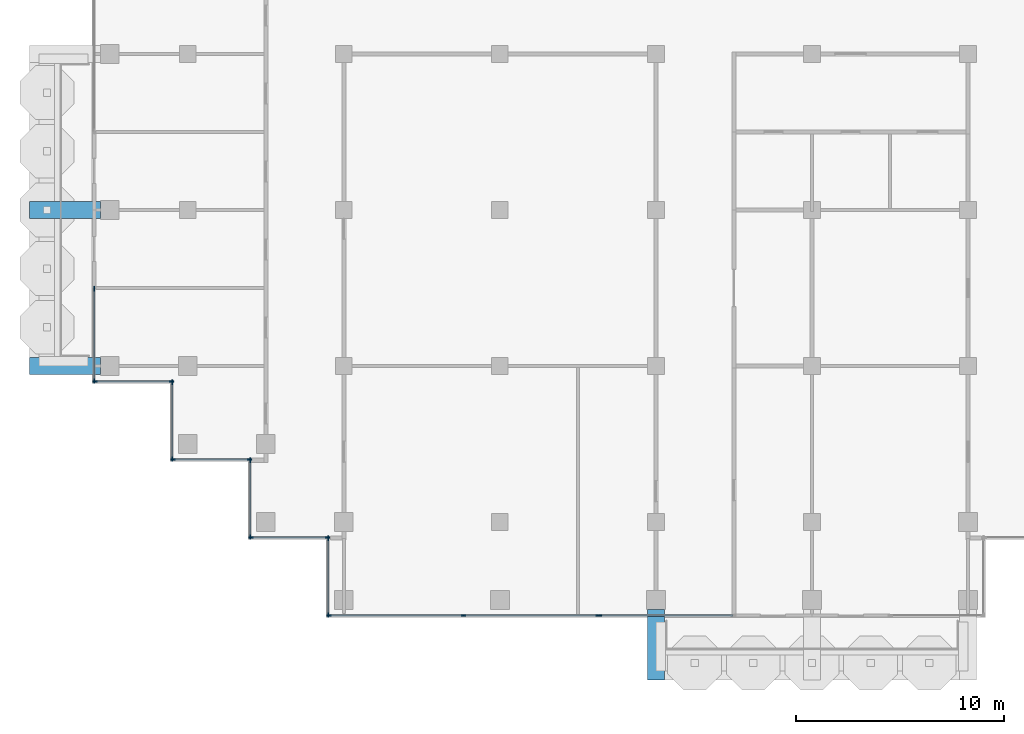
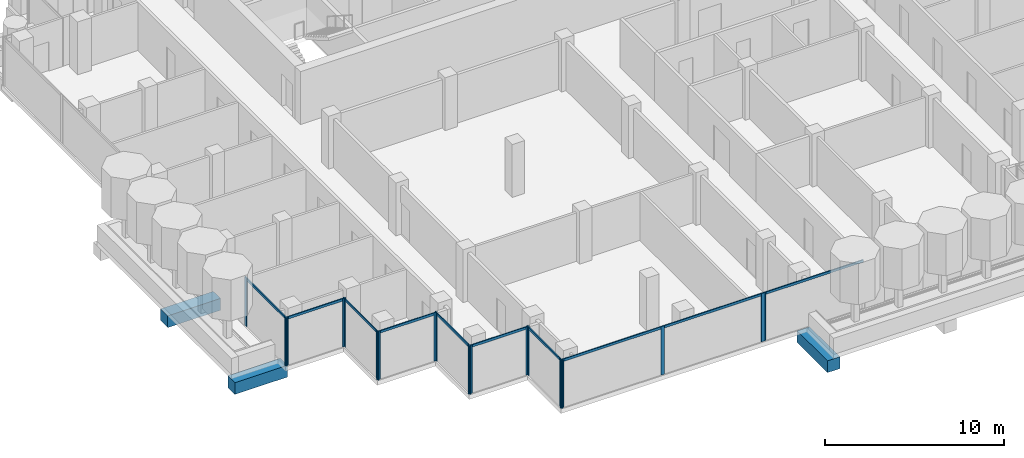
# One storey, part 2 of 19: 28 members, 3 beams, 9 elements without a shape of their own.
"""IFC4 building model written with IfcOpenShell, lengths in metres."""

from ifc_helpers import new_model, si_unit, direction, frame, origin, origin_2d, place, context, subcontext, project, spatial, rectangle, extrude, material, material_profile, profile_set, type_object, element, aggregate, save


model = new_model("IFC4")

# Units and contexts
model_context = context("Model", 3, precision=1e-05, world=origin(), true_north=direction((0.0, 1.0)))
body_context = subcontext(model_context, "Body", "Model", "MODEL_VIEW")
ifc_project = project(units=[si_unit("LENGTHUNIT", "METRE"), si_unit("AREAUNIT", "SQUARE_METRE"), si_unit("VOLUMEUNIT", "CUBIC_METRE"), si_unit("PLANEANGLEUNIT", "RADIAN"), si_unit("MASSUNIT", "GRAM", prefix="KILO")], contexts=[model_context])

# Site, building, storey
site_placement = place(None, origin())
site = spatial("IfcSite", under=ifc_project, at=site_placement, CompositionType="ELEMENT")
building_placement = place(site_placement, origin())
building = spatial("IfcBuilding", under=site, at=building_placement, Name="Pilkhan Gate Tower", CompositionType="ELEMENT")
storey_placement = place(building_placement, frame((0.0, 0.0, 239.10009765625)))
storey = spatial("IfcBuildingStorey", under=building, at=storey_placement, Name="L62", CompositionType="ELEMENT", Elevation=239.10009765625)

# Beams
ifc_material_1 = material(Name="Concrete C50/60", Category="concrete")
ifc_material_profile_1 = material_profile(ifc_material_1, rectangle(XDim=0.800048828125, YDim=0.800048828125, at=origin_2d()), Name="RC 800x800")
ifc_profile_set_1 = profile_set([ifc_material_profile_1], Name="Concrete C50/60")
beam_type = type_object("IfcBeamType", Name="Cantilever beam CB2 RC 800x800 C50/60", PredefinedType="BEAM", material=ifc_profile_set_1)
for number, where, z_axis, x_axis, name in (
    (1, (75.0, 40.800048828125, -0.7001953125), (0.0, -1.0, 0.0), (1.0, 0.0, 0.0), "Balcony beam S.1 L62"),
    (2, (48.300048828125, 52.5, -0.7001953125), (-1.0, 0.0, 0.0), (0.0, -1.0, 0.0), "Balcony beam W.1 L62"),
    (3, (48.300048828125, 60.0, -0.7001953125), (-1.0, 0.0, 0.0), (0.0, -1.0, 0.0), "Balcony beam W.2 L62"),
):
    element("IfcBeam", number, at=place(storey_placement, frame(where, z_axis=z_axis, x_axis=x_axis)), inside=storey, type_object=beam_type, Name=name, PredefinedType="BEAM", context=body_context, shape_type="SweptSolid", body=[
        extrude(rectangle(XDim=0.800048828125, YDim=0.800048828125, at=origin_2d()), origin(), (0.0, 0.0, 1.0), 3.400146484375),
    ])

# Curtain wall, members
ifc_material_2 = material(Name="Pale anodised aluminium, clear low-iron double glazing", Category="aluminium")
curtain_wall_type = type_object("IfcCurtainWallType", Name="Office unitised curtain wall CW-O2", PredefinedType="USERDEFINED", material=ifc_material_2)
curtain_wall_1_placement = place(storey_placement, origin())
curtain_wall_1 = element("IfcCurtainWall", 4, at=curtain_wall_1_placement, inside=storey, type_object=curtain_wall_type, Name="Office unitised curtain wall CW-O2 L62 W", ObjectType="UNITISED CURTAIN WALL", PredefinedType="USERDEFINED")
ifc_material_3 = material(Name="Pale anodised aluminium", Category="aluminium")
ifc_material_profile_2 = material_profile(ifc_material_3, rectangle(XDim=0.06494140625, YDim=0.22509765625, at=origin_2d()), Name="Mullion 225x65")
ifc_profile_set_2 = profile_set([ifc_material_profile_2], Name="Pale anodised aluminium")
member_type_1 = type_object("IfcMemberType", Name="Mullion CW-O2 225x65", PredefinedType="MULLION", material=ifc_profile_set_2)
member_1_placement = place(storey_placement, frame((48.0, 51.782470703125, 0.0), z_axis=(0.0, 0.0, 1.0), x_axis=(-1.0, 0.0, 0.0)))
member_1 = element("IfcMember", 5, at=member_1_placement, type_object=member_type_1, Name="CW-O2 mullion 1", PredefinedType="MULLION", context=body_context, shape_type="SweptSolid", body=[
    extrude(rectangle(XDim=0.06494140625, YDim=0.22509765625, at=origin_2d()), origin(), (0.0, 0.0, 1.0), 3.2998046875),
])
member_2_placement = place(storey_placement, frame((48.0, 56.217529296875, 0.0), z_axis=(0.0, 0.0, 1.0), x_axis=(-1.0, 0.0, 0.0)))
member_2 = element("IfcMember", 6, at=member_2_placement, type_object=member_type_1, Name="CW-O2 mullion 2", PredefinedType="MULLION", context=body_context, shape_type="SweptSolid", body=[
    extrude(rectangle(XDim=0.06494140625, YDim=0.22509765625, at=origin_2d()), origin(), (0.0, 0.0, 1.0), 3.2998046875),
])

curtain_wall_2_placement = place(storey_placement, origin())
curtain_wall_2 = element("IfcCurtainWall", 7, at=curtain_wall_2_placement, inside=storey, type_object=curtain_wall_type, Name="Office unitised curtain wall CW-O2 L62 S", ObjectType="UNITISED CURTAIN WALL", PredefinedType="USERDEFINED")
member_3_placement = place(storey_placement, frame((48.032470703125, 51.75, 0.0), z_axis=(0.0, 0.0, 1.0), x_axis=(0.0, 1.0, 0.0)))
member_3 = element("IfcMember", 8, at=member_3_placement, type_object=member_type_1, Name="CW-O2 mullion 1", PredefinedType="MULLION", context=body_context, shape_type="SweptSolid", body=[
    extrude(rectangle(XDim=0.06494140625, YDim=0.22509765625, at=origin_2d()), origin(), (0.0, 0.0, 1.0), 3.2998046875),
])
member_4_placement = place(storey_placement, frame((51.717529296875, 51.75, 0.0), z_axis=(0.0, 0.0, 1.0), x_axis=(0.0, 1.0, 0.0)))
member_4 = element("IfcMember", 9, at=member_4_placement, type_object=member_type_1, Name="CW-O2 mullion 2", PredefinedType="MULLION", context=body_context, shape_type="SweptSolid", body=[
    extrude(rectangle(XDim=0.06494140625, YDim=0.22509765625, at=origin_2d()), origin(), (0.0, 0.0, 1.0), 3.2998046875),
])

curtain_wall_3_placement = place(storey_placement, origin())
curtain_wall_3 = element("IfcCurtainWall", 10, at=curtain_wall_3_placement, inside=storey, type_object=curtain_wall_type, Name="Office unitised curtain wall CW-O2 L62 W", ObjectType="UNITISED CURTAIN WALL", PredefinedType="USERDEFINED")
member_5_placement = place(storey_placement, frame((51.75, 48.032470703125, 0.0), z_axis=(0.0, 0.0, 1.0), x_axis=(-1.0, 0.0, 0.0)))
member_5 = element("IfcMember", 11, at=member_5_placement, type_object=member_type_1, Name="CW-O2 mullion 1", PredefinedType="MULLION", context=body_context, shape_type="SweptSolid", body=[
    extrude(rectangle(XDim=0.06494140625, YDim=0.22509765625, at=origin_2d()), origin(), (0.0, 0.0, 1.0), 3.2998046875),
])
member_6_placement = place(storey_placement, frame((51.75, 51.717529296875, 0.0), z_axis=(0.0, 0.0, 1.0), x_axis=(-1.0, 0.0, 0.0)))
member_6 = element("IfcMember", 12, at=member_6_placement, type_object=member_type_1, Name="CW-O2 mullion 2", PredefinedType="MULLION", context=body_context, shape_type="SweptSolid", body=[
    extrude(rectangle(XDim=0.06494140625, YDim=0.22509765625, at=origin_2d()), origin(), (0.0, 0.0, 1.0), 3.2998046875),
])

curtain_wall_4_placement = place(storey_placement, origin())
curtain_wall_4 = element("IfcCurtainWall", 13, at=curtain_wall_4_placement, inside=storey, type_object=curtain_wall_type, Name="Office unitised curtain wall CW-O2 L62 S", ObjectType="UNITISED CURTAIN WALL", PredefinedType="USERDEFINED")
member_7_placement = place(storey_placement, frame((51.782470703125, 48.0, 0.0), z_axis=(0.0, 0.0, 1.0), x_axis=(0.0, 1.0, 0.0)))
member_7 = element("IfcMember", 14, at=member_7_placement, type_object=member_type_1, Name="CW-O2 mullion 1", PredefinedType="MULLION", context=body_context, shape_type="SweptSolid", body=[
    extrude(rectangle(XDim=0.06494140625, YDim=0.22509765625, at=origin_2d()), origin(), (0.0, 0.0, 1.0), 3.2998046875),
])
member_8_placement = place(storey_placement, frame((55.467529296875, 48.0, 0.0), z_axis=(0.0, 0.0, 1.0), x_axis=(0.0, 1.0, 0.0)))
member_8 = element("IfcMember", 15, at=member_8_placement, type_object=member_type_1, Name="CW-O2 mullion 2", PredefinedType="MULLION", context=body_context, shape_type="SweptSolid", body=[
    extrude(rectangle(XDim=0.06494140625, YDim=0.22509765625, at=origin_2d()), origin(), (0.0, 0.0, 1.0), 3.2998046875),
])

curtain_wall_5_placement = place(storey_placement, origin())
curtain_wall_5 = element("IfcCurtainWall", 16, at=curtain_wall_5_placement, inside=storey, type_object=curtain_wall_type, Name="Office unitised curtain wall CW-O2 L62 W", ObjectType="UNITISED CURTAIN WALL", PredefinedType="USERDEFINED")
member_9_placement = place(storey_placement, frame((55.5, 44.282470703125, 0.0), z_axis=(0.0, 0.0, 1.0), x_axis=(-1.0, 0.0, 0.0)))
member_9 = element("IfcMember", 17, at=member_9_placement, type_object=member_type_1, Name="CW-O2 mullion 1", PredefinedType="MULLION", context=body_context, shape_type="SweptSolid", body=[
    extrude(rectangle(XDim=0.06494140625, YDim=0.22509765625, at=origin_2d()), origin(), (0.0, 0.0, 1.0), 3.2998046875),
])
member_10_placement = place(storey_placement, frame((55.5, 47.967529296875, 0.0), z_axis=(0.0, 0.0, 1.0), x_axis=(-1.0, 0.0, 0.0)))
member_10 = element("IfcMember", 18, at=member_10_placement, type_object=member_type_1, Name="CW-O2 mullion 2", PredefinedType="MULLION", context=body_context, shape_type="SweptSolid", body=[
    extrude(rectangle(XDim=0.06494140625, YDim=0.22509765625, at=origin_2d()), origin(), (0.0, 0.0, 1.0), 3.2998046875),
])

curtain_wall_6_placement = place(storey_placement, origin())
curtain_wall_6 = element("IfcCurtainWall", 19, at=curtain_wall_6_placement, inside=storey, type_object=curtain_wall_type, Name="Office unitised curtain wall CW-O2 L62 S", ObjectType="UNITISED CURTAIN WALL", PredefinedType="USERDEFINED")
member_11_placement = place(storey_placement, frame((55.532470703125, 44.25, 0.0), z_axis=(0.0, 0.0, 1.0), x_axis=(0.0, 1.0, 0.0)))
member_11 = element("IfcMember", 20, at=member_11_placement, type_object=member_type_1, Name="CW-O2 mullion 1", PredefinedType="MULLION", context=body_context, shape_type="SweptSolid", body=[
    extrude(rectangle(XDim=0.06494140625, YDim=0.22509765625, at=origin_2d()), origin(), (0.0, 0.0, 1.0), 3.2998046875),
])
member_12_placement = place(storey_placement, frame((59.217529296875, 44.25, 0.0), z_axis=(0.0, 0.0, 1.0), x_axis=(0.0, 1.0, 0.0)))
member_12 = element("IfcMember", 21, at=member_12_placement, type_object=member_type_1, Name="CW-O2 mullion 2", PredefinedType="MULLION", context=body_context, shape_type="SweptSolid", body=[
    extrude(rectangle(XDim=0.06494140625, YDim=0.22509765625, at=origin_2d()), origin(), (0.0, 0.0, 1.0), 3.2998046875),
])

curtain_wall_7_placement = place(storey_placement, origin())
curtain_wall_7 = element("IfcCurtainWall", 22, at=curtain_wall_7_placement, inside=storey, type_object=curtain_wall_type, Name="Office unitised curtain wall CW-O2 L62 W", ObjectType="UNITISED CURTAIN WALL", PredefinedType="USERDEFINED")
member_13_placement = place(storey_placement, frame((59.25, 40.532470703125, 0.0), z_axis=(0.0, 0.0, 1.0), x_axis=(-1.0, 0.0, 0.0)))
member_13 = element("IfcMember", 23, at=member_13_placement, type_object=member_type_1, Name="CW-O2 mullion 1", PredefinedType="MULLION", context=body_context, shape_type="SweptSolid", body=[
    extrude(rectangle(XDim=0.06494140625, YDim=0.22509765625, at=origin_2d()), origin(), (0.0, 0.0, 1.0), 3.2998046875),
])
member_14_placement = place(storey_placement, frame((59.25, 44.217529296875, 0.0), z_axis=(0.0, 0.0, 1.0), x_axis=(-1.0, 0.0, 0.0)))
member_14 = element("IfcMember", 24, at=member_14_placement, type_object=member_type_1, Name="CW-O2 mullion 2", PredefinedType="MULLION", context=body_context, shape_type="SweptSolid", body=[
    extrude(rectangle(XDim=0.06494140625, YDim=0.22509765625, at=origin_2d()), origin(), (0.0, 0.0, 1.0), 3.2998046875),
])

curtain_wall_8_placement = place(storey_placement, origin())
curtain_wall_8 = element("IfcCurtainWall", 25, at=curtain_wall_8_placement, inside=storey, type_object=curtain_wall_type, Name="Office unitised curtain wall CW-O2 L62 S", ObjectType="UNITISED CURTAIN WALL", PredefinedType="USERDEFINED")
member_15_placement = place(storey_placement, frame((59.282470703125, 40.5, 0.0), z_axis=(0.0, 0.0, 1.0), x_axis=(0.0, 1.0, 0.0)))
member_15 = element("IfcMember", 26, at=member_15_placement, type_object=member_type_1, Name="CW-O2 mullion 1", PredefinedType="MULLION", context=body_context, shape_type="SweptSolid", body=[
    extrude(rectangle(XDim=0.06494140625, YDim=0.22509765625, at=origin_2d()), origin(), (0.0, 0.0, 1.0), 3.2998046875),
])
member_16_placement = place(storey_placement, frame((65.75, 40.5, 0.0), z_axis=(0.0, 0.0, 1.0), x_axis=(0.0, 1.0, 0.0)))
member_16 = element("IfcMember", 27, at=member_16_placement, type_object=member_type_1, Name="CW-O2 mullion 2", PredefinedType="MULLION", context=body_context, shape_type="SweptSolid", body=[
    extrude(rectangle(XDim=0.06494140625, YDim=0.22509765625, at=origin_2d()), origin(), (0.0, 0.0, 1.0), 3.2998046875),
])
member_17_placement = place(storey_placement, frame((72.217529296875, 40.5, 0.0), z_axis=(0.0, 0.0, 1.0), x_axis=(0.0, 1.0, 0.0)))
member_17 = element("IfcMember", 28, at=member_17_placement, type_object=member_type_1, Name="CW-O2 mullion 3", PredefinedType="MULLION", context=body_context, shape_type="SweptSolid", body=[
    extrude(rectangle(XDim=0.06494140625, YDim=0.22509765625, at=origin_2d()), origin(), (0.0, 0.0, 1.0), 3.2998046875),
])

# Curtain wall, member
curtain_wall_9_placement = place(storey_placement, origin())
curtain_wall_9 = element("IfcCurtainWall", 29, at=curtain_wall_9_placement, inside=storey, type_object=curtain_wall_type, Name="Office unitised curtain wall CW-O2 L62 S", ObjectType="UNITISED CURTAIN WALL", PredefinedType="USERDEFINED")
member_18_placement = place(storey_placement, frame((72.282470703125, 40.5, 0.0), z_axis=(0.0, 0.0, 1.0), x_axis=(0.0, 1.0, 0.0)))
member_18 = element("IfcMember", 30, at=member_18_placement, type_object=member_type_1, Name="CW-O2 mullion 1", PredefinedType="MULLION", context=body_context, shape_type="SweptSolid", body=[
    extrude(rectangle(XDim=0.06494140625, YDim=0.22509765625, at=origin_2d()), origin(), (0.0, 0.0, 1.0), 3.2998046875),
])

# Member
ifc_material_profile_3 = material_profile(ifc_material_3, rectangle(XDim=0.06494140625, YDim=0.1650390625, at=origin_2d()), Name="Transom 165x65")
ifc_profile_set_3 = profile_set([ifc_material_profile_3], Name="Pale anodised aluminium")
member_type_2 = type_object("IfcMemberType", Name="Transom CW-O2 165x65", PredefinedType="USERDEFINED", material=ifc_profile_set_3)
member_19_placement = place(storey_placement, frame((48.0, 51.81494140625, 3.21728515625), z_axis=(0.0, 1.0, 0.0), x_axis=(-1.0, 0.0, 0.0)))
member_19 = element("IfcMember", 31, at=member_19_placement, type_object=member_type_2, Name="CW-O2 transom 1", ObjectType="TRANSOM", PredefinedType="USERDEFINED", context=body_context, shape_type="SweptSolid", body=[
    extrude(rectangle(XDim=0.06494140625, YDim=0.1650390625, at=origin_2d()), origin(), (0.0, 0.0, 1.0), 4.3701171875),
])

aggregate(curtain_wall_1, [member_1, member_2, member_19])

member_20_placement = place(storey_placement, frame((48.06494140625, 51.75, 3.21728515625), z_axis=(1.0, 0.0, 0.0), x_axis=(0.0, 1.0, 0.0)))
member_20 = element("IfcMember", 32, at=member_20_placement, type_object=member_type_2, Name="CW-O2 transom 1", ObjectType="TRANSOM", PredefinedType="USERDEFINED", context=body_context, shape_type="SweptSolid", body=[
    extrude(rectangle(XDim=0.06494140625, YDim=0.1650390625, at=origin_2d()), origin(), (0.0, 0.0, 1.0), 3.6201171875),
])

aggregate(curtain_wall_2, [member_3, member_4, member_20])

member_21_placement = place(storey_placement, frame((51.75, 48.06494140625, 3.21728515625), z_axis=(0.0, 1.0, 0.0), x_axis=(-1.0, 0.0, 0.0)))
member_21 = element("IfcMember", 33, at=member_21_placement, type_object=member_type_2, Name="CW-O2 transom 1", ObjectType="TRANSOM", PredefinedType="USERDEFINED", context=body_context, shape_type="SweptSolid", body=[
    extrude(rectangle(XDim=0.06494140625, YDim=0.1650390625, at=origin_2d()), origin(), (0.0, 0.0, 1.0), 3.6201171875),
])

aggregate(curtain_wall_3, [member_5, member_6, member_21])

member_22_placement = place(storey_placement, frame((51.81494140625, 48.0, 3.21728515625), z_axis=(1.0, 0.0, 0.0), x_axis=(0.0, 1.0, 0.0)))
member_22 = element("IfcMember", 34, at=member_22_placement, type_object=member_type_2, Name="CW-O2 transom 1", ObjectType="TRANSOM", PredefinedType="USERDEFINED", context=body_context, shape_type="SweptSolid", body=[
    extrude(rectangle(XDim=0.06494140625, YDim=0.1650390625, at=origin_2d()), origin(), (0.0, 0.0, 1.0), 3.6201171875),
])

aggregate(curtain_wall_4, [member_7, member_8, member_22])

member_23_placement = place(storey_placement, frame((55.5, 44.31494140625, 3.21728515625), z_axis=(0.0, 1.0, 0.0), x_axis=(-1.0, 0.0, 0.0)))
member_23 = element("IfcMember", 35, at=member_23_placement, type_object=member_type_2, Name="CW-O2 transom 1", ObjectType="TRANSOM", PredefinedType="USERDEFINED", context=body_context, shape_type="SweptSolid", body=[
    extrude(rectangle(XDim=0.06494140625, YDim=0.1650390625, at=origin_2d()), origin(), (0.0, 0.0, 1.0), 3.6201171875),
])

aggregate(curtain_wall_5, [member_9, member_10, member_23])

member_24_placement = place(storey_placement, frame((55.56494140625, 44.25, 3.21728515625), z_axis=(1.0, 0.0, 0.0), x_axis=(0.0, 1.0, 0.0)))
member_24 = element("IfcMember", 36, at=member_24_placement, type_object=member_type_2, Name="CW-O2 transom 1", ObjectType="TRANSOM", PredefinedType="USERDEFINED", context=body_context, shape_type="SweptSolid", body=[
    extrude(rectangle(XDim=0.06494140625, YDim=0.1650390625, at=origin_2d()), origin(), (0.0, 0.0, 1.0), 3.6201171875),
])

aggregate(curtain_wall_6, [member_11, member_12, member_24])

member_25_placement = place(storey_placement, frame((59.25, 40.56494140625, 3.21728515625), z_axis=(0.0, 1.0, 0.0), x_axis=(-1.0, 0.0, 0.0)))
member_25 = element("IfcMember", 37, at=member_25_placement, type_object=member_type_2, Name="CW-O2 transom 1", ObjectType="TRANSOM", PredefinedType="USERDEFINED", context=body_context, shape_type="SweptSolid", body=[
    extrude(rectangle(XDim=0.06494140625, YDim=0.1650390625, at=origin_2d()), origin(), (0.0, 0.0, 1.0), 3.6201171875),
])

aggregate(curtain_wall_7, [member_13, member_14, member_25])

member_26_placement = place(storey_placement, frame((59.31494140625, 40.5, 3.21728515625), z_axis=(1.0, 0.0, 0.0), x_axis=(0.0, 1.0, 0.0)))
member_26 = element("IfcMember", 38, at=member_26_placement, type_object=member_type_2, Name="CW-O2 transom 1", ObjectType="TRANSOM", PredefinedType="USERDEFINED", context=body_context, shape_type="SweptSolid", body=[
    extrude(rectangle(XDim=0.06494140625, YDim=0.1650390625, at=origin_2d()), origin(), (0.0, 0.0, 1.0), 6.402587890625),
])

member_27_placement = place(storey_placement, frame((65.782470703125, 40.5, 3.21728515625), z_axis=(1.0, 0.0, 0.0), x_axis=(0.0, 1.0, 0.0)))
member_27 = element("IfcMember", 39, at=member_27_placement, type_object=member_type_2, Name="CW-O2 transom 2", ObjectType="TRANSOM", PredefinedType="USERDEFINED", context=body_context, shape_type="SweptSolid", body=[
    extrude(rectangle(XDim=0.06494140625, YDim=0.1650390625, at=origin_2d()), origin(), (0.0, 0.0, 1.0), 6.402587890625),
])

aggregate(curtain_wall_8, [member_15, member_16, member_17, member_26, member_27])

member_28_placement = place(storey_placement, frame((72.31494140625, 40.5, 3.21728515625), z_axis=(1.0, 0.0, 0.0), x_axis=(0.0, 1.0, 0.0)))
member_28 = element("IfcMember", 40, at=member_28_placement, type_object=member_type_2, Name="CW-O2 transom 1", ObjectType="TRANSOM", PredefinedType="USERDEFINED", context=body_context, shape_type="SweptSolid", body=[
    extrude(rectangle(XDim=0.06494140625, YDim=0.1650390625, at=origin_2d()), origin(), (0.0, 0.0, 1.0), 6.3701171875),
])

aggregate(curtain_wall_9, [member_18, member_28])

save(model, "model.ifc")
